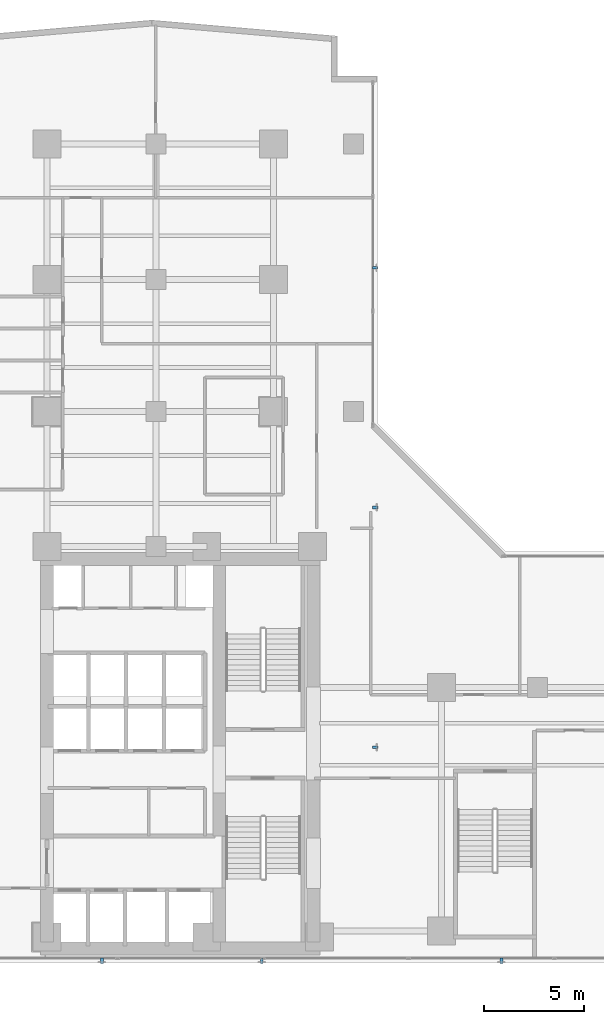
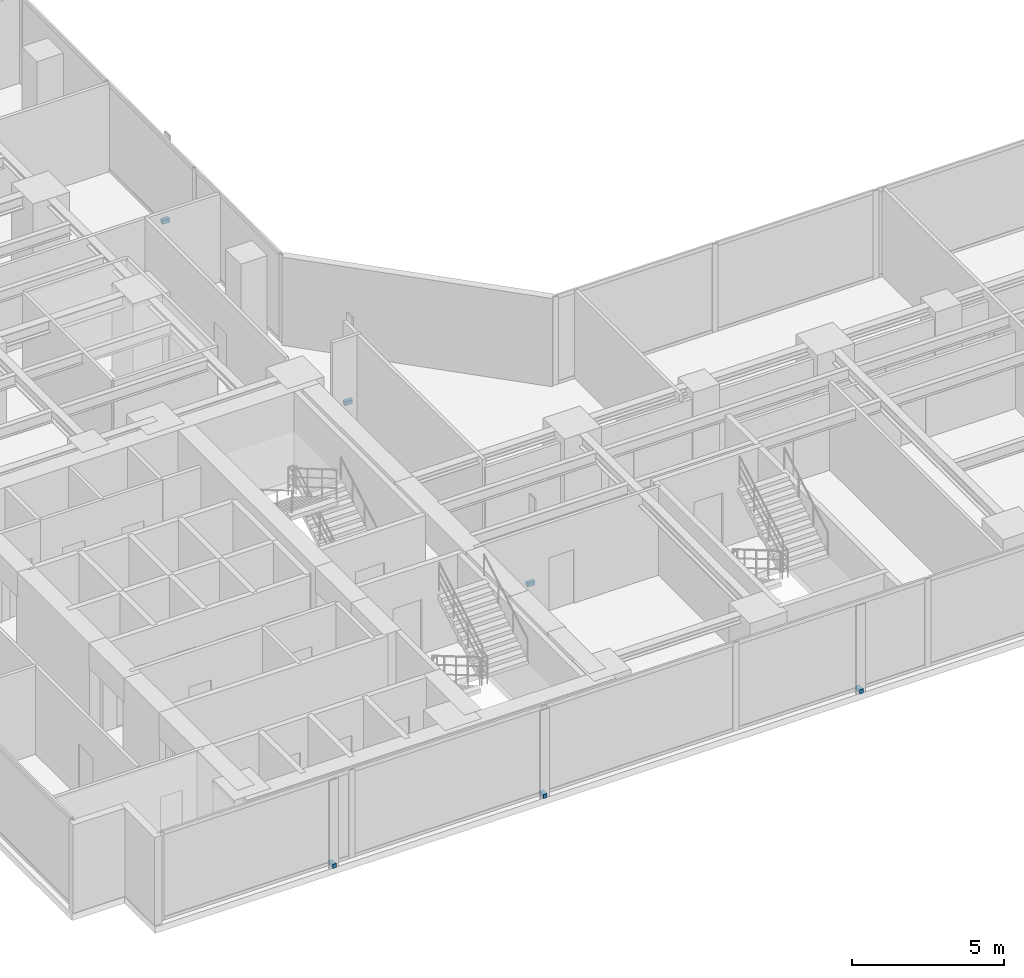
# One storey, part 23 of 28: 6 discrete accessories.
"""IFC4 building model written with IfcOpenShell, lengths in metres."""

from ifc_helpers import new_model, si_unit, direction, frame, origin, origin_with_axes, origin_2d, place, context, subcontext, project, spatial, rectangle, extrude, source, transform, mapped, material, type_object, element, save


model = new_model("IFC4")

# Units and contexts
model_context = context("Model", 3, precision=1e-05, world=origin(), true_north=direction((0.0, 1.0)))
body_context = subcontext(model_context, "Body", "Model", "MODEL_VIEW")
ifc_project = project(units=[si_unit("LENGTHUNIT", "METRE"), si_unit("AREAUNIT", "SQUARE_METRE"), si_unit("VOLUMEUNIT", "CUBIC_METRE"), si_unit("PLANEANGLEUNIT", "RADIAN"), si_unit("MASSUNIT", "GRAM", prefix="KILO")], contexts=[model_context])

# Site, building, storey
site_placement = place(None, origin())
site = spatial("IfcSite", under=ifc_project, at=site_placement, CompositionType="ELEMENT")
building_placement = place(site_placement, origin())
building = spatial("IfcBuilding", under=site, at=building_placement, Name="Kolvaren Waterfront Exchange", CompositionType="ELEMENT")
storey_placement = place(building_placement, frame((0.0, 0.0, 133.5)))
storey = spatial("IfcBuildingStorey", under=building, at=storey_placement, Name="L34", CompositionType="ELEMENT", Elevation=133.5)

# Discrete accessories
ifc_material = material(Name="Stainless steel 316", Category="steel")
discrete_accessory_type = type_object("IfcDiscreteAccessoryType", Name="ARC-BRK-FIN", PredefinedType="BRACKET", material=ifc_material)
shared_shape = source(origin_with_axes(), body_context, "Body", "SweptSolid", [
    extrude(rectangle(XDim=0.280029296875, YDim=0.139892578125, at=origin_2d()), origin(), (0.0, 0.0, 1.0), 0.159912109375),
])
for number, where, z_axis, x_axis, name in (
    (1, (10.199951171875, 3.719970703125, 0.0), (0.0, 0.0, 1.0), (0.0, -1.0, 0.0), "L34 bronze fin anchor bracket FIN-L34-S1"),
    (2, (18.199951171875, 3.719970703125, 0.0), (0.0, 0.0, 1.0), (0.0, -1.0, 0.0), "L34 bronze fin anchor bracket FIN-L34-S2"),
    (3, (30.199951171875, 3.719970703125, 0.0), (0.0, 0.0, 1.0), (0.0, -1.0, 0.0), "L34 bronze fin anchor bracket FIN-L34-S3"),
    (4, (23.8798828125, 14.39990234375, 0.0), (0.0, 0.0, 1.0), (1.0, 0.0, 0.0), "L34 bronze fin anchor bracket FIN-L34-E1"),
    (5, (23.8798828125, 26.39990234375, 0.0), (0.0, 0.0, 1.0), (1.0, 0.0, 0.0), "L34 bronze fin anchor bracket FIN-L34-E2"),
    (6, (23.8798828125, 38.39990234375, 0.0), (0.0, 0.0, 1.0), (1.0, 0.0, 0.0), "L34 bronze fin anchor bracket FIN-L34-E3"),
):
    element("IfcDiscreteAccessory", number, at=place(storey_placement, frame(where, z_axis=z_axis, x_axis=x_axis)), inside=storey, type_object=discrete_accessory_type, Name=name, PredefinedType="BRACKET", context=body_context, shape_type="MappedRepresentation", body=[
        mapped(shared_shape, transform((0.0, 0.0, 0.0), x_axis=(1.0, 0.0, 0.0), y_axis=(0.0, 1.0, 0.0), z_axis=(0.0, 0.0, 1.0), scale=1.0)),
    ])

save(model, "model.ifc")
